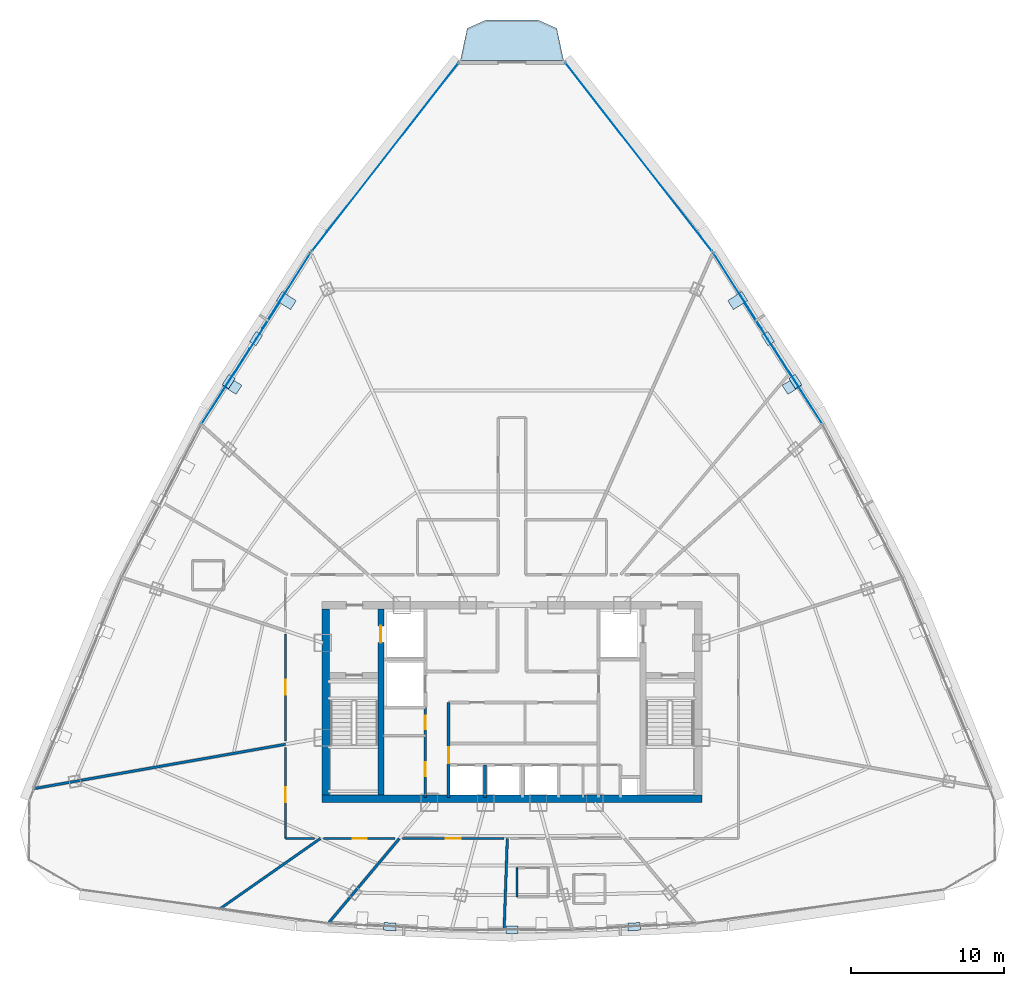
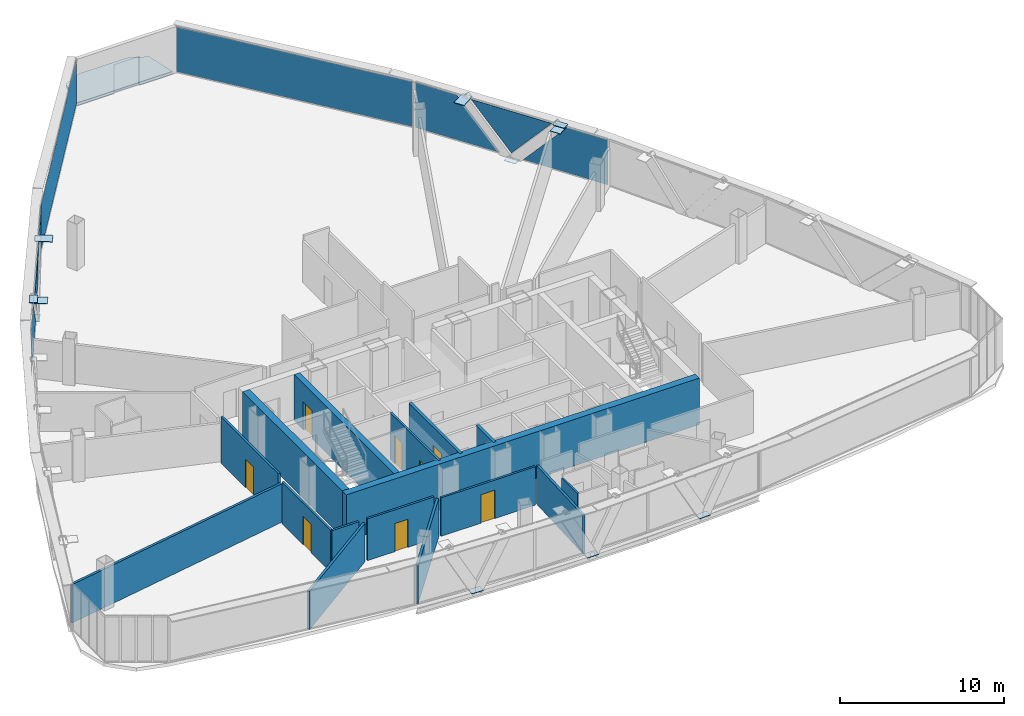
# One storey, part 33 of 39: 19 plates, 16 walls, 8 doors, 1 slab, 8 openings, 4 elements without a shape of their own.
"""IFC4 building model written with IfcOpenShell, lengths in metres."""

from ifc_helpers import new_model, si_unit, direction, frame, frame_2d, origin, origin_with_axes, origin_2d, place, context, subcontext, project, spatial, polyline, rectangle, outline, extrude, source, transform, mapped, material, layer, layer_set, type_object, element, fill, aggregate, save


model = new_model("IFC4")

# Units and contexts
model_context = context("Model", 3, precision=1e-05, world=origin(), true_north=direction((0.0, 1.0)))
body_context = subcontext(model_context, "Body", "Model", "MODEL_VIEW")
ifc_project = project(units=[si_unit("LENGTHUNIT", "METRE"), si_unit("AREAUNIT", "SQUARE_METRE"), si_unit("VOLUMEUNIT", "CUBIC_METRE"), si_unit("PLANEANGLEUNIT", "RADIAN"), si_unit("MASSUNIT", "GRAM", prefix="KILO"), si_unit("THERMODYNAMICTEMPERATUREUNIT", "KELVIN"), si_unit("POWERUNIT", "WATT")], contexts=[model_context])

# Site, building, storey
site_placement = place(None, origin())
site = spatial("IfcSite", under=ifc_project, at=site_placement, CompositionType="ELEMENT")
building_placement = place(site_placement, origin())
building = spatial("IfcBuilding", under=site, at=building_placement, Name="Yunzhuo Pagoda Commons", CompositionType="ELEMENT")
storey_placement = place(building_placement, frame((0.0, 0.0, 296.2099609375)))
storey = spatial("IfcBuildingStorey", under=building, at=storey_placement, Name="L74", CompositionType="ELEMENT", Elevation=296.2099609375)

# Curtain wall, plates
ifc_material_1 = material(Name="Anodized aluminium 6063-T6", Category="aluminium")
ifc_layer_1 = layer(ifc_material_1, 0.139892578125)
ifc_layer_set_1 = layer_set([ifc_layer_1], Name="Anodized aluminium 6063-T6")
curtain_wall_type = type_object("IfcCurtainWallType", Name="CW-HI High-Zone Ribbon Curtain Wall", PredefinedType="NOTDEFINED", material=ifc_layer_set_1)
curtain_wall_1_placement = place(storey_placement, origin())
curtain_wall_1 = element("IfcCurtainWall", 1, at=curtain_wall_1_placement, inside=storey, type_object=curtain_wall_type, Name="L74 curtain wall CW-L74-F2B4", PredefinedType="NOTDEFINED")
ifc_material_2 = material(Name="Tempered low-e double glazing", Category="glass")
ifc_layer_2 = layer(ifc_material_2, 0.02587890625)
ifc_layer_set_2 = layer_set([ifc_layer_2], Name="Tempered low-e double glazing")
plate_type_1 = type_object("IfcPlateType", Name="CW-HI-P Low-E Double Glazing 26", PredefinedType="CURTAIN_PANEL", material=ifc_layer_set_2)
plate_1_placement = place(storey_placement, frame((66.761474609375, 54.54638671875, 1.735107421875), z_axis=(0.84332965014, 0.537396595816, 0.0), x_axis=(-0.537396595816, 0.84332965014, 0.0)))
plate_1 = element("IfcPlate", 2, at=plate_1_placement, type_object=plate_type_1, Name="CW panel 1.1 lite 1", PredefinedType="CURTAIN_PANEL", context=body_context, shape_type="SweptSolid", body=[
    extrude(outline(polyline([(-2.91650390625, -1.679931640625), (2.91650390625, -1.679931640625), (-0.0947265625, 1.679931640625), (-2.91650390625, 1.679931640625), (-2.91650390625, -1.679931640625)])), origin(), (0.0, 0.0, 1.0), 0.028076171875),
])
plate_2_placement = place(storey_placement, frame((64.7431640625, 57.657958984375, 1.8623046875), z_axis=(0.84332965014, 0.537396595816, 0.0), x_axis=(-0.537396595816, 0.84332965014, 0.0)))
plate_2 = element("IfcPlate", 3, at=plate_2_placement, type_object=plate_type_1, Name="CW panel 1.1 lite 2", PredefinedType="CURTAIN_PANEL", context=body_context, shape_type="SweptSolid", body=[
    extrude(outline(polyline([(-2.783203125, 1.552734375), (0.0, -1.552734375), (2.783203125, 1.552734375), (-2.783203125, 1.552734375)])), origin(), (0.0, 0.0, 1.0), 0.028076171875),
])
plate_3_placement = place(storey_placement, frame((62.775390625, 60.802001953125, 1.735107421875), z_axis=(0.84332965014, 0.537396595816, 0.0), x_axis=(-0.537396595816, 0.84332965014, 0.0)))
plate_3 = element("IfcPlate", 4, at=plate_3_placement, type_object=plate_type_1, Name="CW panel 1.1 lite 3", PredefinedType="CURTAIN_PANEL", context=body_context, shape_type="SweptSolid", body=[
    extrude(outline(polyline([(-2.91650390625, -1.679931640625), (2.916259765625, -1.679931640625), (2.916259765625, 1.679931640625), (0.0947265625, 1.679931640625), (-2.91650390625, -1.679931640625)])), origin(), (0.0, 0.0, 1.0), 0.028076171875),
])
aggregate(curtain_wall_1, [plate_1, plate_2, plate_3])

curtain_wall_2_placement = place(storey_placement, origin())
curtain_wall_2 = element("IfcCurtainWall", 5, at=curtain_wall_2_placement, inside=storey, type_object=curtain_wall_type, Name="L74 curtain wall CW-L74-F3B2", PredefinedType="NOTDEFINED")
plate_4_placement = place(storey_placement, frame((33.224609375, 60.802001953125, 1.735107421875), z_axis=(-0.84332965014, 0.537396595816, 0.0), x_axis=(-0.537396595816, -0.84332965014, 0.0)))
plate_4 = element("IfcPlate", 6, at=plate_4_placement, type_object=plate_type_1, Name="CW panel 1.1 lite 1", PredefinedType="CURTAIN_PANEL", context=body_context, shape_type="SweptSolid", body=[
    extrude(outline(polyline([(-2.916259765625, -1.679931640625), (2.91650390625, -1.679931640625), (-0.0947265625, 1.679931640625), (-2.916259765625, 1.679931640625), (-2.916259765625, -1.679931640625)])), origin(), (0.0, 0.0, 1.0), 0.028076171875),
])
plate_5_placement = place(storey_placement, frame((31.2568359375, 57.657958984375, 1.8623046875), z_axis=(-0.84332965014, 0.537396595816, 0.0), x_axis=(-0.537396595816, -0.84332965014, 0.0)))
plate_5 = element("IfcPlate", 7, at=plate_5_placement, type_object=plate_type_1, Name="CW panel 1.1 lite 2", PredefinedType="CURTAIN_PANEL", context=body_context, shape_type="SweptSolid", body=[
    extrude(outline(polyline([(-2.783203125, 1.552734375), (0.0, -1.552734375), (2.783203125, 1.552734375), (-2.783203125, 1.552734375)])), origin(), (0.0, 0.0, 1.0), 0.028076171875),
])
plate_6_placement = place(storey_placement, frame((29.238525390625, 54.54638671875, 1.735107421875), z_axis=(-0.84332965014, 0.537396595816, 0.0), x_axis=(-0.537396595816, -0.84332965014, 0.0)))
plate_6 = element("IfcPlate", 8, at=plate_6_placement, type_object=plate_type_1, Name="CW panel 1.1 lite 3", PredefinedType="CURTAIN_PANEL", context=body_context, shape_type="SweptSolid", body=[
    extrude(outline(polyline([(-2.91650390625, -1.679931640625), (2.91650390625, -1.679931640625), (2.91650390625, 1.679931640625), (0.0947265625, 1.679931640625), (-2.91650390625, -1.679931640625)])), origin(), (0.0, 0.0, 1.0), 0.028076171875),
])
aggregate(curtain_wall_2, [plate_4, plate_5, plate_6])

# Slab
ifc_material_3 = material(Name="Concrete C40", Category="concrete")
ifc_layer_3 = layer(ifc_material_3, 0.199951171875)
ifc_layer_set_3 = layer_set([ifc_layer_3], Name="Concrete C40")
slab_type = type_object("IfcSlabType", Name="SL-BAL Vertex Balcony Deck Slab 200", PredefinedType="FLOOR", material=ifc_layer_set_3)
slab_placement = place(storey_placement, frame((0.0, 0.0, -0.199951171875)))
element("IfcSlab", 9, at=slab_placement, inside=storey, type_object=slab_type, Name="L74 corner balcony V3", PredefinedType="FLOOR", context=body_context, shape_type="SweptSolid", body=[
    extrude(outline(polyline([(51.385009765625, 75.92529296875), (44.614990234375, 75.92529296875), (45.06494140625, 78.020263671875), (46.3076171875, 78.5703125), (49.6923828125, 78.5703125), (50.93505859375, 78.020263671875), (51.385009765625, 75.92529296875)])), origin(), (0.0, 0.0, 1.0), 0.199951171875),
])

# Plates
ifc_material_4 = material(Name="Structural steel Q355B", Category="steel")
ifc_layer_4 = layer(ifc_material_4, 0.028076171875)
ifc_layer_set_4 = layer_set([ifc_layer_4], Name="Structural steel Q355B")
plate_type_2 = type_object("IfcPlateType", Name="SP-ND1 Lattice Node Cap Plate 800x500x28", PredefinedType="USERDEFINED", material=ifc_layer_set_4)
shared_shape_1 = source(origin(), body_context, "Body", "SweptSolid", [
    extrude(rectangle(XDim=0.800048828125, YDim=0.5, at=origin_2d()), origin(), (0.0, 0.0, 1.0), 0.028076171875),
])
for number, where, z_axis, x_axis, name in (
    (10, (39.9912109375, 19.1220703125, -0.27392578125), (0.0, 0.0, 1.0), (0.998636832498, -0.052196520746, 0.0), "L74 diamond node plate F1.1A"),
    (11, (48.0, 18.91064453125, -0.27392578125), (0.0, 0.0, 1.0), (1.0, 0.0, 0.0), "L74 diamond node plate F1.2A"),
    (12, (56.0087890625, 19.1220703125, -0.27392578125), (0.0, 0.0, 1.0), (0.998636832498, 0.052196520746, 0.0), "L74 diamond node plate F1.3A"),
    (13, (64.780029296875, 57.681640625, -0.27392578125), (0.0, 0.0, 1.0), (-0.53740264404, 0.843325795988, 0.0), "L74 diamond node plate F2.3A"),
    (14, (31.219970703125, 57.681640625, -0.27392578125), (0.0, 0.0, 1.0), (-0.53740264404, -0.843325795988, 0.0), "L74 diamond node plate F3.1A"),
):
    element("IfcPlate", number, at=place(storey_placement, frame(where, z_axis=z_axis, x_axis=x_axis)), inside=storey, type_object=plate_type_2, Name=name, ObjectType="STIFFENER_PLATE", PredefinedType="USERDEFINED", context=body_context, shape_type="MappedRepresentation", body=[
        mapped(shared_shape_1, transform((0.0, 0.0, 0.0), scale=1.0)),
    ])
ifc_layer_5 = layer(ifc_material_4, 0.028076171875)
ifc_layer_set_5 = layer_set([ifc_layer_5], Name="Structural steel Q355B")
plate_type_3 = type_object("IfcPlateType", Name="EP-DL1 Diamond Brace End Plate 800x500x28", PredefinedType="USERDEFINED", material=ifc_layer_set_5)
for number, where, z_axis, x_axis, name in (
    (15, (66.576416015625, 54.86279296875, 3.4677734375), (0.0, 0.0, 1.0), (-0.53740264404, 0.843325795988, 0.0), "L74 diamond brace end plate F2.3L"),
    (16, (29.423583984375, 54.86279296875, 3.4677734375), (0.0, 0.0, 1.0), (-0.53740264404, -0.843325795988, 0.0), "L74 diamond brace end plate F3.1R"),
):
    element("IfcPlate", number, at=place(storey_placement, frame(where, z_axis=z_axis, x_axis=x_axis)), inside=storey, type_object=plate_type_3, Name=name, ObjectType="END_PLATE", PredefinedType="USERDEFINED", context=body_context, shape_type="MappedRepresentation", body=[
        mapped(shared_shape_1, transform((0.0, 0.0, 0.0), scale=1.0)),
    ])
shared_shape_2 = source(origin(), body_context, "Body", "SweptSolid", [
    extrude(rectangle(XDim=0.699951171875, YDim=1.05029296875, at=origin_2d()), origin(), (0.0, 0.0, 1.0), 0.035888671875),
])
for number, where, z_axis, x_axis, name in (
    (17, (66.344970703125, 54.599853515625, 3.43212890625), (0.0, 0.0, 1.0), (-0.53740264404, 0.843325795988, 0.0), "L74 setback lattice tie plate F2.3L"),
    (18, (29.655029296875, 54.599853515625, 3.43212890625), (0.0, 0.0, 1.0), (-0.53740264404, -0.843325795988, 0.0), "L74 setback lattice tie plate F3.1R"),
):
    element("IfcPlate", number, at=place(storey_placement, frame(where, z_axis=z_axis, x_axis=x_axis)), inside=storey, type_object=plate_type_2, Name=name, ObjectType="STIFFENER_PLATE", PredefinedType="USERDEFINED", context=body_context, shape_type="MappedRepresentation", body=[
        mapped(shared_shape_2, transform((0.0, 0.0, 0.0), scale=1.0)),
    ])
shared_shape_3 = source(origin(), body_context, "Body", "SweptSolid", [
    extrude(rectangle(XDim=0.699951171875, YDim=1.10546875, at=origin_2d()), origin(), (0.0, 0.0, 1.0), 0.035888671875),
])
for number, where, z_axis, x_axis, name in (
    (19, (62.799072265625, 60.17138671875, 3.43212890625), (0.0, 0.0, 1.0), (-0.53740264404, 0.843325795988, 0.0), "L74 setback lattice tie plate F2.3R"),
    (20, (33.200927734375, 60.17138671875, 3.43212890625), (0.0, 0.0, 1.0), (-0.53740264404, -0.843325795988, 0.0), "L74 setback lattice tie plate F3.1L"),
):
    element("IfcPlate", number, at=place(storey_placement, frame(where, z_axis=z_axis, x_axis=x_axis)), inside=storey, type_object=plate_type_2, Name=name, ObjectType="STIFFENER_PLATE", PredefinedType="USERDEFINED", context=body_context, shape_type="MappedRepresentation", body=[
        mapped(shared_shape_3, transform((0.0, 0.0, 0.0), scale=1.0)),
    ])

# Curtain wall, plate
curtain_wall_3_placement = place(storey_placement, origin())
curtain_wall_3 = element("IfcCurtainWall", 21, at=curtain_wall_3_placement, inside=storey, type_object=curtain_wall_type, Name="L74 curtain wall CW-L74-F2B5", PredefinedType="NOTDEFINED")
shared_shape_4 = source(origin(), body_context, "Body", "SweptSolid", [
    extrude(rectangle(XDim=15.6083984375, YDim=0.028076171875, at=origin_2d()), origin(), (0.0, 0.0, 1.0), 3.360107421875),
])
plate_7_placement = place(storey_placement, frame((56.310791015625, 69.58447265625, 0.05517578125), z_axis=(0.0, 0.0, 1.0), x_axis=(-0.614261000482, 0.789102923127, 0.0)))
plate_7 = element("IfcPlate", 22, at=plate_7_placement, type_object=plate_type_1, Name="CW panel 1.1", PredefinedType="CURTAIN_PANEL", context=body_context, shape_type="MappedRepresentation", body=[
    mapped(shared_shape_4, transform((0.0, 0.0, 0.0), scale=1.0)),
])
aggregate(curtain_wall_3, [plate_7])

curtain_wall_4_placement = place(storey_placement, origin())
curtain_wall_4 = element("IfcCurtainWall", 23, at=curtain_wall_4_placement, inside=storey, type_object=curtain_wall_type, Name="L74 curtain wall CW-L74-F3B1", PredefinedType="NOTDEFINED")
plate_8_placement = place(storey_placement, frame((39.689208984375, 69.58447265625, 0.05517578125), z_axis=(0.0, 0.0, 1.0), x_axis=(-0.614261000482, -0.789102923127, 0.0)))
plate_8 = element("IfcPlate", 24, at=plate_8_placement, type_object=plate_type_1, Name="CW panel 1.1", PredefinedType="CURTAIN_PANEL", context=body_context, shape_type="MappedRepresentation", body=[
    mapped(shared_shape_4, transform((0.0, 0.0, 0.0), scale=1.0)),
])
aggregate(curtain_wall_4, [plate_8])

# Walls
ifc_material_5 = material(Name="Concrete C50", Category="concrete")
ifc_layer_6 = layer(ifc_material_5, 0.5)
ifc_layer_set_6 = layer_set([ifc_layer_6], Name="Concrete C50")
wall_type_1 = type_object("IfcWallType", Name="W-C03 Upper Core Shear Wall 500", PredefinedType="SHEAR", material=ifc_layer_set_6)
wall_1_placement = place(storey_placement, frame((35.550048828125, 27.5, 0.0), z_axis=(0.0, 0.0, 1.0), x_axis=(1.0, 0.0, 0.0)))
element("IfcWall", 25, at=wall_1_placement, inside=storey, type_object=wall_type_1, Name="L74 core shear wall S", PredefinedType="SHEAR", context=body_context, shape_type="SweptSolid", body=[
    extrude(rectangle(XDim=24.89990234375, YDim=0.5, at=frame_2d((12.449951171875, 0.0))), origin(), (0.0, 0.0, 1.0), 3.469970703125),
])
wall_2_placement = place(storey_placement, frame((35.800048828125, 27.75, 0.0), z_axis=(0.0, 0.0, 1.0), x_axis=(0.0, 1.0, 0.0)))
element("IfcWall", 26, at=wall_2_placement, inside=storey, type_object=wall_type_1, Name="L74 core shear wall W", PredefinedType="SHEAR", context=body_context, shape_type="SweptSolid", body=[
    extrude(rectangle(XDim=12.199951171875, YDim=0.5, at=frame_2d((6.10009765625, 0.0))), origin(), (0.0, 0.0, 1.0), 3.469970703125),
])

# Wall, openings, doors
ifc_material_6 = material(Name="Gypsum plasterboard on acoustic stud")
ifc_layer_7 = layer(ifc_material_6, 0.14990234375)
ifc_layer_set_7 = layer_set([ifc_layer_7], Name="Gypsum plasterboard on acoustic stud")
wall_type_2 = type_object("IfcWallType", Name="W-COR3 High-Zone Rated Corridor Wall 150", PredefinedType="PARTITIONING", material=ifc_layer_set_7)
wall_3_placement = place(storey_placement, frame((42.320068359375, 27.60009765625, 0.0), z_axis=(0.0, 0.0, 1.0), x_axis=(0.0, 1.0, 0.0)))
wall_3 = element("IfcWall", 27, at=wall_3_placement, inside=storey, type_object=wall_type_2, Name="L74 interior wall IW-L74-CSWE", PredefinedType="PARTITIONING", context=body_context, shape_type="SweptSolid", body=[
    extrude(rectangle(XDim=5.89990234375, YDim=0.14990234375, at=frame_2d((2.949951171875, 0.0))), origin(), (0.0, 0.0, 1.0), 3.469970703125),
])
opening_1_placement = place(wall_3_placement, frame((1.39990234375, 0.0, 0.0)))
opening_1 = element("IfcOpeningElement", 28, at=opening_1_placement, cuts=wall_3, Name="Opening D-03", PredefinedType="OPENING", context=body_context, shape_type="SweptSolid", body=[
    extrude(rectangle(XDim=0.89990234375, YDim=2.10009765625, at=frame_2d((0.449951171875, 1.050048828125))), frame((0.0, 0.0849609375, 0.0), z_axis=(0.0, -1.0, 0.0), x_axis=(1.0, 0.0, 0.0)), (0.0, 0.0, 1.0), 0.169921875),
])
opening_2_placement = place(wall_3_placement, frame((4.449951171875, 0.0, 0.0)))
opening_2 = element("IfcOpeningElement", 29, at=opening_2_placement, cuts=wall_3, Name="Opening D-03", PredefinedType="OPENING", context=body_context, shape_type="SweptSolid", body=[
    extrude(rectangle(XDim=0.89990234375, YDim=2.10009765625, at=frame_2d((0.449951171875, 1.050048828125))), frame((0.0, 0.0849609375, 0.0), z_axis=(0.0, -1.0, 0.0), x_axis=(1.0, 0.0, 0.0)), (0.0, 0.0, 1.0), 0.169921875),
])
ifc_material_7 = material(Name="Galvanized fire-resisting metal leaf")
door_type_1 = type_object("IfcDoorType", Name="D-03 Core Service Fire Door 900x2100", OperationType="NOTDEFINED", PredefinedType="DOOR", material=ifc_material_7)
shared_shape_5 = source(origin(), body_context, "Body", "SweptSolid", [
    extrude(rectangle(XDim=0.89990234375, YDim=2.10009765625, at=frame_2d((0.449951171875, 1.050048828125))), frame((0.0, 0.02490234375, 0.0), z_axis=(0.0, -1.0, 0.0), x_axis=(1.0, 0.0, 0.0)), (0.0, 0.0, 1.0), 0.050048828125),
])
door_1_placement = place(opening_1_placement, origin_with_axes())
door_1 = element("IfcDoor", 30, at=door_1_placement, inside=storey, type_object=door_type_1, Name="L74 service store door", OperationType="SINGLE_SWING_LEFT", OverallHeight=2.10009765625, OverallWidth=0.89990234375, PredefinedType="DOOR", context=body_context, shape_type="MappedRepresentation", body=[
    mapped(shared_shape_5, transform((0.0, 0.0, 0.0), scale=1.0)),
])
fill(opening_1, door_1)
door_2_placement = place(opening_2_placement, origin_with_axes())
door_2 = element("IfcDoor", 31, at=door_2_placement, inside=storey, type_object=door_type_1, Name="L74 switch closet door", OperationType="SINGLE_SWING_RIGHT", OverallHeight=2.10009765625, OverallWidth=0.89990234375, PredefinedType="DOOR", context=body_context, shape_type="MappedRepresentation", body=[
    mapped(shared_shape_5, transform((0.0, 0.0, 0.0), scale=1.0)),
])
fill(opening_2, door_2)

# Wall, opening, door
wall_4_placement = place(storey_placement, frame((33.14990234375, 24.89990234375, 0.0), z_axis=(0.0, 0.0, 1.0), x_axis=(0.0, 1.0, 0.0)))
wall_4 = element("IfcWall", 32, at=wall_4_placement, inside=storey, type_object=wall_type_2, Name="L74 interior wall IW-L74-CWL01", PredefinedType="PARTITIONING", context=body_context, shape_type="SweptSolid", body=[
    extrude(rectangle(XDim=5.958251953125, YDim=0.14990234375, at=frame_2d((2.97900390625, 0.0))), origin(), (0.0, 0.0, 1.0), 3.1201171875),
])
opening_3_placement = place(wall_4_placement, frame((2.3857421875, 0.0, 0.0)))
opening_3 = element("IfcOpeningElement", 33, at=opening_3_placement, cuts=wall_4, Name="Opening D-08", PredefinedType="OPENING", context=body_context, shape_type="SweptSolid", body=[
    extrude(rectangle(XDim=0.97998046875, YDim=2.1201171875, at=frame_2d((0.489990234375, 1.06005859375))), frame((0.0, 0.0849609375, 0.0), z_axis=(0.0, -1.0, 0.0), x_axis=(1.0, 0.0, 0.0)), (0.0, 0.0, 1.0), 0.169921875),
])
door_type_2 = type_object("IfcDoorType", Name="D-08 High-Zone Suite Entrance Fire Door 980x2120", OperationType="NOTDEFINED", PredefinedType="DOOR", material=ifc_material_7)
shared_shape_6 = source(origin(), body_context, "Body", "SweptSolid", [
    extrude(rectangle(XDim=0.97998046875, YDim=2.1201171875, at=frame_2d((0.489990234375, 1.06005859375))), frame((0.0, 0.02490234375, 0.0), z_axis=(0.0, -1.0, 0.0), x_axis=(1.0, 0.0, 0.0)), (0.0, 0.0, 1.0), 0.050048828125),
])
door_3_placement = place(opening_3_placement, origin_with_axes())
door_3 = element("IfcDoor", 34, at=door_3_placement, inside=storey, type_object=door_type_2, Name="L74 unit 09 entrance door", OperationType="SINGLE_SWING_RIGHT", OverallHeight=2.1201171875, OverallWidth=0.97998046875, PredefinedType="DOOR", context=body_context, shape_type="MappedRepresentation", body=[
    mapped(shared_shape_6, transform((0.0, 0.0, 0.0), scale=1.0)),
])
fill(opening_3, door_3)

wall_5_placement = place(storey_placement, frame((33.14990234375, 31.30126953125, 0.0), z_axis=(0.0, 0.0, 1.0), x_axis=(0.0, 1.0, 0.0)))
wall_5 = element("IfcWall", 35, at=wall_5_placement, inside=storey, type_object=wall_type_2, Name="L74 interior wall IW-L74-CWL02", PredefinedType="PARTITIONING", context=body_context, shape_type="SweptSolid", body=[
    extrude(rectangle(XDim=7.004150390625, YDim=0.14990234375, at=frame_2d((3.501953125, 0.0))), origin(), (0.0, 0.0, 1.0), 3.469970703125),
])
opening_4_placement = place(wall_5_placement, frame((3.027099609375, 0.0, 0.0)))
opening_4 = element("IfcOpeningElement", 36, at=opening_4_placement, cuts=wall_5, Name="Opening D-08", PredefinedType="OPENING", context=body_context, shape_type="SweptSolid", body=[
    extrude(rectangle(XDim=0.97998046875, YDim=2.1201171875, at=frame_2d((0.489990234375, 1.06005859375))), frame((0.0, 0.0849609375, 0.0), z_axis=(0.0, -1.0, 0.0), x_axis=(1.0, 0.0, 0.0)), (0.0, 0.0, 1.0), 0.169921875),
])
door_4_placement = place(opening_4_placement, origin_with_axes())
door_4 = element("IfcDoor", 37, at=door_4_placement, inside=storey, type_object=door_type_2, Name="L74 unit 08 entrance door", OperationType="SINGLE_SWING_LEFT", OverallHeight=2.1201171875, OverallWidth=0.97998046875, PredefinedType="DOOR", context=body_context, shape_type="MappedRepresentation", body=[
    mapped(shared_shape_6, transform((0.0, 0.0, 0.0), scale=1.0)),
])
fill(opening_4, door_4)

wall_6_placement = place(storey_placement, frame((47.47265625, 24.89990234375, 0.0), z_axis=(0.0, 0.0, 1.0), x_axis=(-1.0, 0.0, 0.0)))
wall_6 = element("IfcWall", 38, at=wall_6_placement, inside=storey, type_object=wall_type_2, Name="L74 interior wall IW-L74-CWL18", PredefinedType="PARTITIONING", context=body_context, shape_type="SweptSolid", body=[
    extrude(rectangle(XDim=6.636962890625, YDim=0.14990234375, at=frame_2d((3.318359375, 0.0))), origin(), (0.0, 0.0, 1.0), 2.8701171875),
])
opening_5_placement = place(wall_6_placement, frame((2.84326171875, 0.0, 0.0)))
opening_5 = element("IfcOpeningElement", 39, at=opening_5_placement, cuts=wall_6, Name="Opening D-08", PredefinedType="OPENING", context=body_context, shape_type="SweptSolid", body=[
    extrude(rectangle(XDim=0.97998046875, YDim=2.1201171875, at=frame_2d((0.489990234375, 1.06005859375))), frame((0.0, 0.0849609375, 0.0), z_axis=(0.0, -1.0, 0.0), x_axis=(1.0, 0.0, 0.0)), (0.0, 0.0, 1.0), 0.169921875),
])
door_5_placement = place(opening_5_placement, origin_with_axes())
door_5 = element("IfcDoor", 40, at=door_5_placement, inside=storey, type_object=door_type_2, Name="L74 Resident Co-Living Commons Hall door", OperationType="SINGLE_SWING_RIGHT", OverallHeight=2.1201171875, OverallWidth=0.97998046875, PredefinedType="DOOR", context=body_context, shape_type="MappedRepresentation", body=[
    mapped(shared_shape_6, transform((0.0, 0.0, 0.0), scale=1.0)),
])
fill(opening_5, door_5)

wall_7_placement = place(storey_placement, frame((40.32861328125, 24.89990234375, 0.0), z_axis=(0.0, 0.0, 1.0), x_axis=(-1.0, 0.0, 0.0)))
wall_7 = element("IfcWall", 41, at=wall_7_placement, inside=storey, type_object=wall_type_2, Name="L74 interior wall IW-L74-CWL19", PredefinedType="PARTITIONING", context=body_context, shape_type="SweptSolid", body=[
    extrude(rectangle(XDim=4.676513671875, YDim=0.14990234375, at=frame_2d((2.33837890625, 0.0))), origin(), (0.0, 0.0, 1.0), 3.1201171875),
])
opening_6_placement = place(wall_7_placement, frame((1.844482421875, 0.0, 0.0)))
opening_6 = element("IfcOpeningElement", 42, at=opening_6_placement, cuts=wall_7, Name="Opening D-04", PredefinedType="OPENING", context=body_context, shape_type="SweptSolid", body=[
    extrude(rectangle(XDim=0.919921875, YDim=2.10009765625, at=frame_2d((0.4599609375, 1.050048828125))), frame((0.0, 0.0849609375, 0.0), z_axis=(0.0, -1.0, 0.0), x_axis=(1.0, 0.0, 0.0)), (0.0, 0.0, 1.0), 0.169921875),
])
ifc_material_8 = material(Name="Powder-coated aluminium and timber acoustic leaf", Category="wood")
door_type_3 = type_object("IfcDoorType", Name="D-04 Bedroom & Study Interior Door 920x2100", OperationType="NOTDEFINED", PredefinedType="DOOR", material=ifc_material_8)
shared_shape_7 = source(origin(), body_context, "Body", "SweptSolid", [
    extrude(rectangle(XDim=0.919921875, YDim=2.10009765625, at=frame_2d((0.4599609375, 1.050048828125))), frame((0.0, 0.02490234375, 0.0), z_axis=(0.0, -1.0, 0.0), x_axis=(1.0, 0.0, 0.0)), (0.0, 0.0, 1.0), 0.050048828125),
])
door_6_placement = place(opening_6_placement, origin_with_axes())
door_6 = element("IfcDoor", 43, at=door_6_placement, inside=storey, type_object=door_type_3, Name="L74 fellow workroom 10 door", OperationType="SINGLE_SWING_LEFT", OverallHeight=2.10009765625, OverallWidth=0.919921875, PredefinedType="DOOR", context=body_context, shape_type="MappedRepresentation", body=[
    mapped(shared_shape_7, transform((0.0, 0.0, 0.0), scale=1.0)),
])
fill(opening_6, door_6)

# Walls
wall_8_placement = place(storey_placement, frame((35.048583984375, 24.89990234375, 0.0), z_axis=(0.0, 0.0, 1.0), x_axis=(-1.0, 0.0, 0.0)))
element("IfcWall", 44, at=wall_8_placement, inside=storey, type_object=wall_type_2, Name="L74 interior wall IW-L74-CWL20", PredefinedType="PARTITIONING", context=body_context, shape_type="SweptSolid", body=[
    extrude(rectangle(XDim=1.898681640625, YDim=0.14990234375, at=frame_2d((0.94921875, 0.0))), origin(), (0.0, 0.0, 1.0), 3.1201171875),
])
ifc_layer_8 = layer(ifc_material_6, 0.1201171875)
ifc_layer_set_8 = layer_set([ifc_layer_8], Name="Gypsum plasterboard on acoustic stud")
wall_type_3 = type_object("IfcWallType", Name="W-PRT1 Suite & Bathroom Partition 120", PredefinedType="PARTITIONING", material=ifc_layer_set_8)
wall_9_placement = place(storey_placement, frame((48.3310546875, 22.97509765625, 0.0), z_axis=(0.0, 0.0, 1.0), x_axis=(0.0, -1.0, 0.0)))
element("IfcWall", 45, at=wall_9_placement, inside=storey, type_object=wall_type_3, Name="L74 interior wall IW-L74-B12W", PredefinedType="PARTITIONING", context=body_context, shape_type="SweptSolid", body=[
    extrude(rectangle(XDim=1.900146484375, YDim=0.1201171875, at=frame_2d((0.9501953125, 0.0))), origin(), (0.0, 0.0, 1.0), 2.8701171875),
])
ifc_layer_9 = layer(ifc_material_6, 0.169921875)
ifc_layer_set_9 = layer_set([ifc_layer_9], Name="Gypsum plasterboard on acoustic stud")
wall_type_4 = type_object("IfcWallType", Name="W-PRT4 High-Zone Demising Wall 170", PredefinedType="PARTITIONING", material=ifc_layer_set_9)
wall_10_placement = place(storey_placement, frame((33.14990234375, 31.08154296875, 0.0), z_axis=(0.0, 0.0, 1.0), x_axis=(-0.984806900178, -0.173653014261, 0.0)))
element("IfcWall", 46, at=wall_10_placement, inside=storey, type_object=wall_type_4, Name="L74 interior wall IW-L74-RAD08", PredefinedType="PARTITIONING", context=body_context, shape_type="SweptSolid", body=[
    extrude(rectangle(XDim=16.73583984375, YDim=0.169921875, at=frame_2d((8.367919921875, 0.0))), origin(), (0.0, 0.0, 1.0), 2.8701171875),
])
wall_11_placement = place(storey_placement, frame((35.432373046875, 24.89990234375, 0.0), z_axis=(0.0, 0.0, 1.0), x_axis=(-0.819164697245, -0.573558365632, 0.0)))
element("IfcWall", 47, at=wall_11_placement, inside=storey, type_object=wall_type_4, Name="L74 interior wall IW-L74-RAD09", PredefinedType="PARTITIONING", context=body_context, shape_type="SweptSolid", body=[
    extrude(rectangle(XDim=8.019775390625, YDim=0.169921875, at=frame_2d((4.009765625, 0.0))), origin(), (0.0, 0.0, 1.0), 2.8701171875),
])
wall_12_placement = place(storey_placement, frame((40.615966796875, 24.89990234375, 0.0), z_axis=(0.0, 0.0, 1.0), x_axis=(-0.642798027821, -0.766035701146, 0.0)))
element("IfcWall", 48, at=wall_12_placement, inside=storey, type_object=wall_type_4, Name="L74 interior wall IW-L74-RAD10", PredefinedType="PARTITIONING", context=body_context, shape_type="SweptSolid", body=[
    extrude(rectangle(XDim=7.2666015625, YDim=0.169921875, at=frame_2d((3.63330078125, 0.0))), origin(), (0.0, 0.0, 1.0), 2.8701171875),
])
wall_13_placement = place(storey_placement, frame((47.692626953125, 24.89990234375, 0.0), z_axis=(0.0, 0.0, 1.0), x_axis=(-0.034912666906, -0.999390367019, 0.0)))
element("IfcWall", 49, at=wall_13_placement, inside=storey, type_object=wall_type_4, Name="L74 interior wall IW-L74-RAD11", PredefinedType="PARTITIONING", context=body_context, shape_type="SweptSolid", body=[
    extrude(rectangle(XDim=5.992919921875, YDim=0.169921875, at=frame_2d((2.99658203125, 0.0))), origin(), (0.0, 0.0, 1.0), 2.8701171875),
])

# Wall, opening, door
ifc_material_9 = material(Name="Concrete C60", Category="concrete")
ifc_layer_10 = layer(ifc_material_9, 0.39990234375)
ifc_layer_set_10 = layer_set([ifc_layer_10], Name="Concrete C60")
wall_type_5 = type_object("IfcWallType", Name="W-S01 Internal Core Shear Web 400", PredefinedType="SHEAR", material=ifc_layer_set_10)
wall_14_placement = place(storey_placement, frame((39.39990234375, 27.75, 0.0), z_axis=(0.0, 0.0, 1.0), x_axis=(0.0, 1.0, 0.0)))
wall_14 = element("IfcWall", 50, at=wall_14_placement, inside=storey, type_object=wall_type_5, Name="L74 core shear wall WEBW", PredefinedType="SHEAR", context=body_context, shape_type="SweptSolid", body=[
    extrude(rectangle(XDim=12.199951171875, YDim=0.39990234375, at=frame_2d((6.10009765625, 0.0))), origin(), (0.0, 0.0, 1.0), 3.469970703125),
])
opening_7_placement = place(wall_14_placement, frame((10.0, 0.0, 0.0)))
opening_7 = element("IfcOpeningElement", 51, at=opening_7_placement, cuts=wall_14, Name="Opening LD-01", PredefinedType="OPENING", context=body_context, shape_type="SweptSolid", body=[
    extrude(rectangle(XDim=1.10009765625, YDim=2.10009765625, at=frame_2d((0.550048828125, 1.050048828125))), frame((0.0, 0.2099609375, 0.0), z_axis=(0.0, -1.0, 0.0), x_axis=(1.0, 0.0, 0.0)), (0.0, 0.0, 1.0), 0.419921875),
])
door_type_4 = type_object("IfcDoorType", Name="LD-01 Firefighting Lift Landing Door 1100x2100", OperationType="DOUBLE_DOOR_SLIDING", PredefinedType="DOOR", material=ifc_material_7)
shared_shape_8 = source(origin(), body_context, "Body", "SweptSolid", [
    extrude(rectangle(XDim=1.10009765625, YDim=2.10009765625, at=frame_2d((0.550048828125, 1.050048828125))), frame((0.0, 0.02490234375, 0.0), z_axis=(0.0, -1.0, 0.0), x_axis=(1.0, 0.0, 0.0)), (0.0, 0.0, 1.0), 0.050048828125),
])
door_7_placement = place(opening_7_placement, frame((1.10009765625, 0.0, 0.0), z_axis=(0.0, 0.0, 1.0), x_axis=(-1.0, 0.0, 0.0)))
door_7 = element("IfcDoor", 52, at=door_7_placement, inside=storey, type_object=door_type_4, Name="L74 Firefighting lift FL-1 landing door", OperationType="DOUBLE_DOOR_SLIDING", OverallHeight=2.10009765625, OverallWidth=1.10009765625, PredefinedType="DOOR", context=body_context, shape_type="MappedRepresentation", body=[
    mapped(shared_shape_8, transform((0.0, 0.0, 0.0), scale=1.0)),
])
fill(opening_7, door_7)

ifc_layer_11 = layer(ifc_material_3, 0.199951171875)
ifc_layer_set_11 = layer_set([ifc_layer_11], Name="Concrete C40")
wall_type_6 = type_object("IfcWallType", Name="W-SHF Shaft & Stair Enclosure Wall 200", PredefinedType="SOLIDWALL", material=ifc_layer_set_11)
wall_15_placement = place(storey_placement, frame((43.85009765625, 27.60009765625, 0.0), z_axis=(0.0, 0.0, 1.0), x_axis=(0.0, 1.0, 0.0)))
wall_15 = element("IfcWall", 53, at=wall_15_placement, inside=storey, type_object=wall_type_6, Name="L74 interior wall IW-L74-PLMW", PredefinedType="SOLIDWALL", context=body_context, shape_type="SweptSolid", body=[
    extrude(rectangle(XDim=6.219970703125, YDim=0.199951171875, at=frame_2d((3.10986328125, 0.0))), origin(), (0.0, 0.0, 1.0), 3.469970703125),
])
opening_8_placement = place(wall_15_placement, frame((2.25, 0.0, 0.0)))
opening_8 = element("IfcOpeningElement", 54, at=opening_8_placement, cuts=wall_15, Name="Opening D-02", PredefinedType="OPENING", context=body_context, shape_type="SweptSolid", body=[
    extrude(rectangle(XDim=1.050048828125, YDim=2.10009765625, at=frame_2d((0.52490234375, 1.050048828125))), frame((0.0, 0.10986328125, 0.0), z_axis=(0.0, -1.0, 0.0), x_axis=(1.0, 0.0, 0.0)), (0.0, 0.0, 1.0), 0.219970703125),
])
door_type_5 = type_object("IfcDoorType", Name="D-02 Firefighting Lobby & Refuge Fire Door 1050x2100", OperationType="NOTDEFINED", PredefinedType="DOOR", material=ifc_material_7)
shared_shape_9 = source(origin(), body_context, "Body", "SweptSolid", [
    extrude(rectangle(XDim=1.050048828125, YDim=2.10009765625, at=frame_2d((0.52490234375, 1.050048828125))), frame((0.0, 0.02490234375, 0.0), z_axis=(0.0, -1.0, 0.0), x_axis=(1.0, 0.0, 0.0)), (0.0, 0.0, 1.0), 0.050048828125),
])
door_8_placement = place(opening_8_placement, frame((1.050048828125, 0.0, 0.0), z_axis=(0.0, 0.0, 1.0), x_axis=(-1.0, 0.0, 0.0)))
door_8 = element("IfcDoor", 55, at=door_8_placement, inside=storey, type_object=door_type_5, Name="L74 High-bank hall west door", OperationType="SINGLE_SWING_LEFT", OverallHeight=2.10009765625, OverallWidth=1.050048828125, PredefinedType="DOOR", context=body_context, shape_type="MappedRepresentation", body=[
    mapped(shared_shape_9, transform((0.0, 0.0, 0.0), scale=1.0)),
])
fill(opening_8, door_8)

# Wall
wall_16_placement = place(storey_placement, frame((46.22509765625, 27.60009765625, 0.0), z_axis=(0.0, 0.0, 1.0), x_axis=(0.0, 1.0, 0.0)))
element("IfcWall", 56, at=wall_16_placement, inside=storey, type_object=wall_type_6, Name="L74 interior wall IW-L74-PLHD1", PredefinedType="SOLIDWALL", context=body_context, shape_type="SweptSolid", body=[
    extrude(rectangle(XDim=2.119873046875, YDim=0.199951171875, at=frame_2d((1.06005859375, 0.0))), origin(), (0.0, 0.0, 1.0), 3.469970703125),
])

save(model, "model.ifc")
